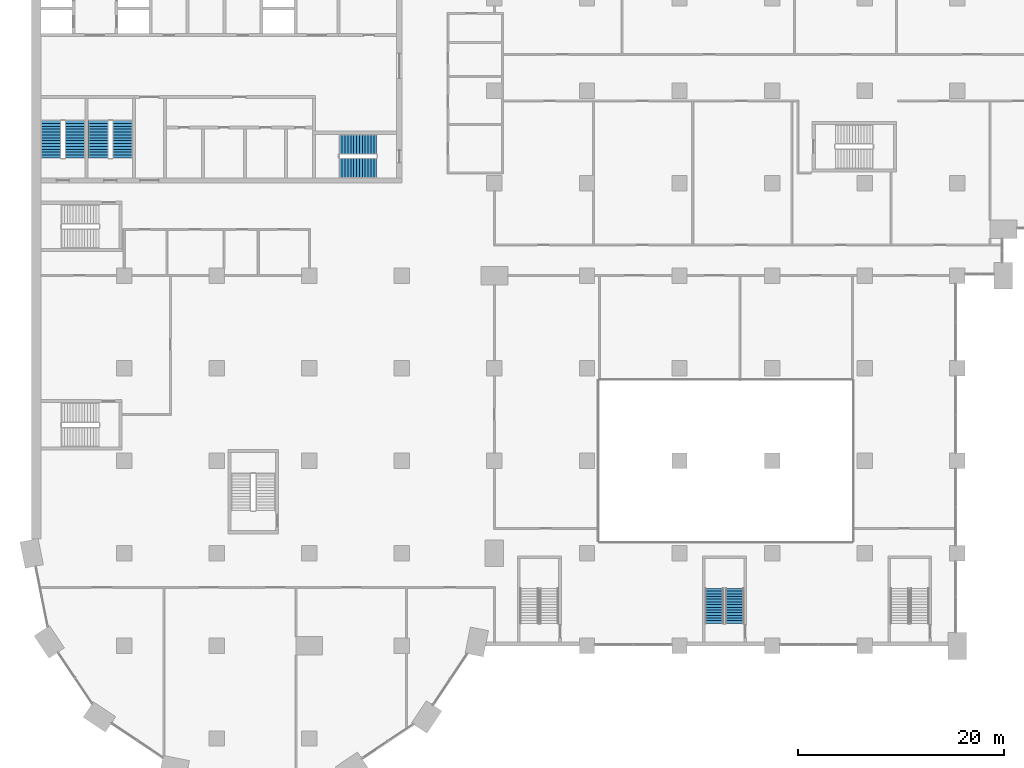
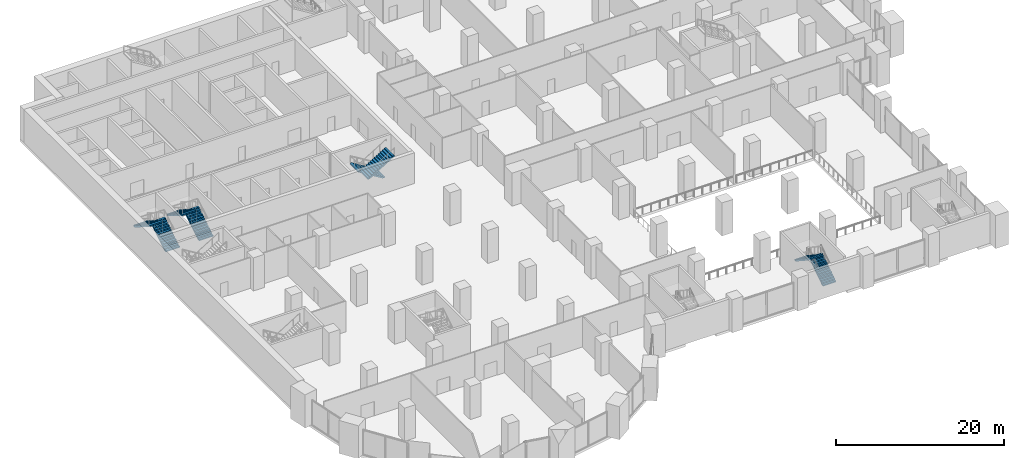
# One storey, part 32 of 49: 8 stair flights, 4 elements without a shape of their own.
"""IFC4 building model written with IfcOpenShell, lengths in metres."""

from ifc_helpers import new_model, si_unit, direction, frame, origin, place, context, subcontext, project, spatial, polyline, outline, extrude, material, type_object, element, aggregate, save


model = new_model("IFC4")

# Units and contexts
model_context = context("Model", 3, precision=1e-05, world=origin(), true_north=direction((0.0, 1.0)))
body_context = subcontext(model_context, "Body", "Model", "MODEL_VIEW")
ifc_project = project(units=[si_unit("LENGTHUNIT", "METRE"), si_unit("AREAUNIT", "SQUARE_METRE"), si_unit("VOLUMEUNIT", "CUBIC_METRE"), si_unit("PLANEANGLEUNIT", "RADIAN"), si_unit("MASSUNIT", "GRAM", prefix="KILO")], contexts=[model_context])

# Site, building, storey
site_placement = place(None, origin())
site = spatial("IfcSite", under=ifc_project, at=site_placement, CompositionType="ELEMENT")
building_placement = place(site_placement, origin())
building = spatial("IfcBuilding", under=site, at=building_placement, Name="Hunhe Ridgeline Campus", CompositionType="ELEMENT")
storey_placement = place(building_placement, frame((0.0, 0.0, 21.60009765625)))
storey = spatial("IfcBuildingStorey", under=building, at=storey_placement, Name="L04", CompositionType="ELEMENT", Elevation=21.60009765625)

# Stair, stair flights
ifc_material = material(Name="Concrete C40", Category="concrete")
stair_type_1 = type_object("IfcStairType", Name="Podium exit stair 1800", PredefinedType="HALF_TURN_STAIR", material=ifc_material)
stair_1_placement = place(storey_placement, origin())
stair_1 = element("IfcStair", 1, at=stair_1_placement, inside=storey, type_object=stair_type_1, Name="L04 podium stair PS2", PredefinedType="HALF_TURN_STAIR")
stair_flight_type_1 = type_object("IfcStairFlightType", Name="Podium stair flight 1800", PredefinedType="STRAIGHT", material=ifc_material)
stair_flight_1_placement = place(storey_placement, frame((68.35009765625, 20.199951171875, 0.0), z_axis=(0.0, 0.0, 1.0), x_axis=(0.0, 1.0, 0.0)))
stair_flight_1 = element("IfcStairFlight", 2, at=stair_flight_1_placement, type_object=stair_flight_type_1, Name="PS2 flight 1", NumberOfRisers=14, NumberOfTreads=13, PredefinedType="STRAIGHT", RiserHeight=0.171428571, TreadLength=0.26, context=body_context, shape_type="SweptSolid", body=[
    extrude(outline(polyline([(0.0, 0.0), (0.0, 0.17138671875), (0.260009765625, 0.17138671875), (0.260009765625, 0.3427734375), (0.52001953125, 0.3427734375), (0.52001953125, 0.514404296875), (0.780029296875, 0.514404296875), (0.780029296875, 0.685791015625), (1.0400390625, 0.685791015625), (1.0400390625, 0.857177734375), (1.300048828125, 0.857177734375), (1.300048828125, 1.028564453125), (1.56005859375, 1.028564453125), (1.56005859375, 1.199951171875), (1.820068359375, 1.199951171875), (1.820068359375, 1.371337890625), (2.080078125, 1.371337890625), (2.080078125, 1.54296875), (2.340087890625, 1.54296875), (2.340087890625, 1.71435546875), (2.60009765625, 1.71435546875), (2.60009765625, 1.8857421875), (2.860107421875, 1.8857421875), (2.860107421875, 2.05712890625), (3.1201171875, 2.05712890625), (3.1201171875, 2.228515625), (3.3798828125, 2.228515625), (3.3798828125, 2.39990234375), (3.3798828125, 2.049072265625), (0.272216796875, 0.0), (0.0, 0.0)])), frame((0.0, 0.89990234375, 0.0), z_axis=(0.0, -1.0, 0.0), x_axis=(1.0, 0.0, 0.0)), (0.0, 0.0, 1.0), 1.800048828125),
])
stair_flight_2_placement = place(storey_placement, frame((66.39990234375, 23.580078125, 2.39990234375), z_axis=(0.0, 0.0, 1.0), x_axis=(0.0, -1.0, 0.0)))
stair_flight_2 = element("IfcStairFlight", 3, at=stair_flight_2_placement, type_object=stair_flight_type_1, Name="PS2 flight 2", NumberOfRisers=14, NumberOfTreads=13, PredefinedType="STRAIGHT", RiserHeight=0.171428571, TreadLength=0.26, context=body_context, shape_type="SweptSolid", body=[
    extrude(outline(polyline([(0.0, 0.0), (0.0, 0.17138671875), (0.260009765625, 0.17138671875), (0.260009765625, 0.3427734375), (0.52001953125, 0.3427734375), (0.52001953125, 0.514404296875), (0.780029296875, 0.514404296875), (0.780029296875, 0.685791015625), (1.0400390625, 0.685791015625), (1.0400390625, 0.857177734375), (1.300048828125, 0.857177734375), (1.300048828125, 1.028564453125), (1.56005859375, 1.028564453125), (1.56005859375, 1.199951171875), (1.820068359375, 1.199951171875), (1.820068359375, 1.371337890625), (2.080078125, 1.371337890625), (2.080078125, 1.54296875), (2.340087890625, 1.54296875), (2.340087890625, 1.71435546875), (2.60009765625, 1.71435546875), (2.60009765625, 1.8857421875), (2.860107421875, 1.8857421875), (2.860107421875, 2.05712890625), (3.1201171875, 2.05712890625), (3.1201171875, 2.228515625), (3.3798828125, 2.228515625), (3.3798828125, 2.39990234375), (3.3798828125, 2.049072265625), (0.272216796875, 0.0), (0.0, 0.0)])), frame((0.0, 0.89990234375, 0.0), z_axis=(0.0, -1.0, 0.0), x_axis=(1.0, 0.0, 0.0)), (0.0, 0.0, 1.0), 1.800048828125),
])
aggregate(stair_1, [stair_flight_1, stair_flight_2])

stair_type_2 = type_object("IfcStairType", Name="Reinforced concrete dog-leg stair 1950 Concrete C40", PredefinedType="HALF_TURN_STAIR", material=ifc_material)
stair_2_placement = place(storey_placement, origin())
stair_2 = element("IfcStair", 4, at=stair_2_placement, inside=storey, type_object=stair_type_2, Name="L04 S2", PredefinedType="HALF_TURN_STAIR")
stair_flight_type_2 = type_object("IfcStairFlightType", Name="Reinforced concrete stair flight 1950 Concrete C40", PredefinedType="STRAIGHT", material=ifc_material)
stair_flight_3_placement = place(storey_placement, frame((33.550048828125, 66.77490234375, 0.0), z_axis=(0.0, 0.0, 1.0), x_axis=(-1.0, 0.0, 0.0)))
stair_flight_3 = element("IfcStairFlight", 5, at=stair_flight_3_placement, type_object=stair_flight_type_2, Name="ST2 flight 1", NumberOfRisers=14, NumberOfTreads=13, PredefinedType="STRAIGHT", RiserHeight=0.171428571, TreadLength=0.28, context=body_context, shape_type="SweptSolid", body=[
    extrude(outline(polyline([(0.0, 0.0), (0.0, 0.17138671875), (0.280029296875, 0.17138671875), (0.280029296875, 0.3427734375), (0.56005859375, 0.3427734375), (0.56005859375, 0.514404296875), (0.840087890625, 0.514404296875), (0.840087890625, 0.685791015625), (1.1201171875, 0.685791015625), (1.1201171875, 0.857177734375), (1.39990234375, 0.857177734375), (1.39990234375, 1.028564453125), (1.679931640625, 1.028564453125), (1.679931640625, 1.199951171875), (1.9599609375, 1.199951171875), (1.9599609375, 1.371337890625), (2.239990234375, 1.371337890625), (2.239990234375, 1.54296875), (2.52001953125, 1.54296875), (2.52001953125, 1.71435546875), (2.800048828125, 1.71435546875), (2.800048828125, 1.8857421875), (3.080078125, 1.8857421875), (3.080078125, 2.05712890625), (3.360107421875, 2.05712890625), (3.360107421875, 2.228515625), (3.639892578125, 2.228515625), (3.639892578125, 2.39990234375), (3.639892578125, 2.052734375), (0.287109375, 0.0), (0.0, 0.0)])), frame((0.0, 0.97509765625, 0.0), z_axis=(0.0, -1.0, 0.0), x_axis=(1.0, 0.0, 0.0)), (0.0, 0.0, 1.0), 1.949951171875),
    extrude(outline(polyline([(0.030029296875, 0.030029296875), (0.030029296875, 0.141357421875), (0.31005859375, 0.141357421875), (0.31005859375, 0.31298828125), (0.590087890625, 0.31298828125), (0.590087890625, 0.484375), (0.8701171875, 0.484375), (0.8701171875, 0.65576171875), (1.14990234375, 0.65576171875), (1.14990234375, 0.8271484375), (1.429931640625, 0.8271484375), (1.429931640625, 0.99853515625), (1.7099609375, 0.99853515625), (1.7099609375, 1.169921875), (1.989990234375, 1.169921875), (1.989990234375, 1.34130859375), (2.27001953125, 1.34130859375), (2.27001953125, 1.512939453125), (2.550048828125, 1.512939453125), (2.550048828125, 1.684326171875), (2.830078125, 1.684326171875), (2.830078125, 1.855712890625), (3.110107421875, 1.855712890625), (3.110107421875, 2.027099609375), (3.389892578125, 2.027099609375), (3.389892578125, 2.198486328125), (3.610107421875, 2.198486328125), (3.610107421875, 2.069580078125), (0.278564453125, 0.030029296875), (0.030029296875, 0.030029296875)])), frame((0.0, -0.070068359375, 0.0), z_axis=(0.0, -1.0, 0.0), x_axis=(1.0, 0.0, 0.0)), (0.0, 0.0, 1.0), 0.019775390625),
    extrude(outline(polyline([(0.030029296875, 0.030029296875), (0.030029296875, 0.141357421875), (0.31005859375, 0.141357421875), (0.31005859375, 0.31298828125), (0.590087890625, 0.31298828125), (0.590087890625, 0.484375), (0.8701171875, 0.484375), (0.8701171875, 0.65576171875), (1.14990234375, 0.65576171875), (1.14990234375, 0.8271484375), (1.429931640625, 0.8271484375), (1.429931640625, 0.99853515625), (1.7099609375, 0.99853515625), (1.7099609375, 1.169921875), (1.989990234375, 1.169921875), (1.989990234375, 1.34130859375), (2.27001953125, 1.34130859375), (2.27001953125, 1.512939453125), (2.550048828125, 1.512939453125), (2.550048828125, 1.684326171875), (2.830078125, 1.684326171875), (2.830078125, 1.855712890625), (3.110107421875, 1.855712890625), (3.110107421875, 2.027099609375), (3.389892578125, 2.027099609375), (3.389892578125, 2.198486328125), (3.610107421875, 2.198486328125), (3.610107421875, 2.069580078125), (0.278564453125, 0.030029296875), (0.030029296875, 0.030029296875)])), frame((0.0, 0.010009765625, 0.0), z_axis=(0.0, -1.0, 0.0), x_axis=(1.0, 0.0, 0.0)), (0.0, 0.0, 1.0), 0.019775390625),
    extrude(outline(polyline([(0.030029296875, 0.030029296875), (0.030029296875, 0.141357421875), (0.31005859375, 0.141357421875), (0.31005859375, 0.31298828125), (0.590087890625, 0.31298828125), (0.590087890625, 0.484375), (0.8701171875, 0.484375), (0.8701171875, 0.65576171875), (1.14990234375, 0.65576171875), (1.14990234375, 0.8271484375), (1.429931640625, 0.8271484375), (1.429931640625, 0.99853515625), (1.7099609375, 0.99853515625), (1.7099609375, 1.169921875), (1.989990234375, 1.169921875), (1.989990234375, 1.34130859375), (2.27001953125, 1.34130859375), (2.27001953125, 1.512939453125), (2.550048828125, 1.512939453125), (2.550048828125, 1.684326171875), (2.830078125, 1.684326171875), (2.830078125, 1.855712890625), (3.110107421875, 1.855712890625), (3.110107421875, 2.027099609375), (3.389892578125, 2.027099609375), (3.389892578125, 2.198486328125), (3.610107421875, 2.198486328125), (3.610107421875, 2.069580078125), (0.278564453125, 0.030029296875), (0.030029296875, 0.030029296875)])), frame((0.0, 0.090087890625, 0.0), z_axis=(0.0, -1.0, 0.0), x_axis=(1.0, 0.0, 0.0)), (0.0, 0.0, 1.0), 0.019775390625),
])
stair_flight_4_placement = place(storey_placement, frame((29.909912109375, 64.47509765625, 2.39990234375), z_axis=(0.0, 0.0, 1.0), x_axis=(1.0, 0.0, 0.0)))
stair_flight_4 = element("IfcStairFlight", 6, at=stair_flight_4_placement, type_object=stair_flight_type_2, Name="ST2 flight 2", NumberOfRisers=14, NumberOfTreads=13, PredefinedType="STRAIGHT", RiserHeight=0.171428571, TreadLength=0.28, context=body_context, shape_type="SweptSolid", body=[
    extrude(outline(polyline([(0.0, 0.0), (0.0, 0.17138671875), (0.280029296875, 0.17138671875), (0.280029296875, 0.3427734375), (0.56005859375, 0.3427734375), (0.56005859375, 0.514404296875), (0.840087890625, 0.514404296875), (0.840087890625, 0.685791015625), (1.1201171875, 0.685791015625), (1.1201171875, 0.857177734375), (1.39990234375, 0.857177734375), (1.39990234375, 1.028564453125), (1.679931640625, 1.028564453125), (1.679931640625, 1.199951171875), (1.9599609375, 1.199951171875), (1.9599609375, 1.371337890625), (2.239990234375, 1.371337890625), (2.239990234375, 1.54296875), (2.52001953125, 1.54296875), (2.52001953125, 1.71435546875), (2.800048828125, 1.71435546875), (2.800048828125, 1.8857421875), (3.080078125, 1.8857421875), (3.080078125, 2.05712890625), (3.360107421875, 2.05712890625), (3.360107421875, 2.228515625), (3.639892578125, 2.228515625), (3.639892578125, 2.39990234375), (3.639892578125, 2.052734375), (0.287109375, 0.0), (0.0, 0.0)])), frame((0.0, 0.97509765625, 0.0), z_axis=(0.0, -1.0, 0.0), x_axis=(1.0, 0.0, 0.0)), (0.0, 0.0, 1.0), 1.949951171875),
    extrude(outline(polyline([(0.030029296875, 0.030029296875), (0.030029296875, 0.141357421875), (0.31005859375, 0.141357421875), (0.31005859375, 0.31298828125), (0.590087890625, 0.31298828125), (0.590087890625, 0.484375), (0.8701171875, 0.484375), (0.8701171875, 0.65576171875), (1.14990234375, 0.65576171875), (1.14990234375, 0.8271484375), (1.429931640625, 0.8271484375), (1.429931640625, 0.99853515625), (1.7099609375, 0.99853515625), (1.7099609375, 1.169921875), (1.989990234375, 1.169921875), (1.989990234375, 1.34130859375), (2.27001953125, 1.34130859375), (2.27001953125, 1.512939453125), (2.550048828125, 1.512939453125), (2.550048828125, 1.684326171875), (2.830078125, 1.684326171875), (2.830078125, 1.855712890625), (3.110107421875, 1.855712890625), (3.110107421875, 2.027099609375), (3.389892578125, 2.027099609375), (3.389892578125, 2.198486328125), (3.610107421875, 2.198486328125), (3.610107421875, 2.069580078125), (0.278564453125, 0.030029296875), (0.030029296875, 0.030029296875)])), frame((0.0, -0.070068359375, 0.0), z_axis=(0.0, -1.0, 0.0), x_axis=(1.0, 0.0, 0.0)), (0.0, 0.0, 1.0), 0.019775390625),
    extrude(outline(polyline([(0.030029296875, 0.030029296875), (0.030029296875, 0.141357421875), (0.31005859375, 0.141357421875), (0.31005859375, 0.31298828125), (0.590087890625, 0.31298828125), (0.590087890625, 0.484375), (0.8701171875, 0.484375), (0.8701171875, 0.65576171875), (1.14990234375, 0.65576171875), (1.14990234375, 0.8271484375), (1.429931640625, 0.8271484375), (1.429931640625, 0.99853515625), (1.7099609375, 0.99853515625), (1.7099609375, 1.169921875), (1.989990234375, 1.169921875), (1.989990234375, 1.34130859375), (2.27001953125, 1.34130859375), (2.27001953125, 1.512939453125), (2.550048828125, 1.512939453125), (2.550048828125, 1.684326171875), (2.830078125, 1.684326171875), (2.830078125, 1.855712890625), (3.110107421875, 1.855712890625), (3.110107421875, 2.027099609375), (3.389892578125, 2.027099609375), (3.389892578125, 2.198486328125), (3.610107421875, 2.198486328125), (3.610107421875, 2.069580078125), (0.278564453125, 0.030029296875), (0.030029296875, 0.030029296875)])), frame((0.0, 0.010009765625, 0.0), z_axis=(0.0, -1.0, 0.0), x_axis=(1.0, 0.0, 0.0)), (0.0, 0.0, 1.0), 0.019775390625),
    extrude(outline(polyline([(0.030029296875, 0.030029296875), (0.030029296875, 0.141357421875), (0.31005859375, 0.141357421875), (0.31005859375, 0.31298828125), (0.590087890625, 0.31298828125), (0.590087890625, 0.484375), (0.8701171875, 0.484375), (0.8701171875, 0.65576171875), (1.14990234375, 0.65576171875), (1.14990234375, 0.8271484375), (1.429931640625, 0.8271484375), (1.429931640625, 0.99853515625), (1.7099609375, 0.99853515625), (1.7099609375, 1.169921875), (1.989990234375, 1.169921875), (1.989990234375, 1.34130859375), (2.27001953125, 1.34130859375), (2.27001953125, 1.512939453125), (2.550048828125, 1.512939453125), (2.550048828125, 1.684326171875), (2.830078125, 1.684326171875), (2.830078125, 1.855712890625), (3.110107421875, 1.855712890625), (3.110107421875, 2.027099609375), (3.389892578125, 2.027099609375), (3.389892578125, 2.198486328125), (3.610107421875, 2.198486328125), (3.610107421875, 2.069580078125), (0.278564453125, 0.030029296875), (0.030029296875, 0.030029296875)])), frame((0.0, 0.090087890625, 0.0), z_axis=(0.0, -1.0, 0.0), x_axis=(1.0, 0.0, 0.0)), (0.0, 0.0, 1.0), 0.019775390625),
])
aggregate(stair_2, [stair_flight_3, stair_flight_4])

stair_3_placement = place(storey_placement, origin())
stair_3 = element("IfcStair", 7, at=stair_3_placement, inside=storey, type_object=stair_type_2, Name="L04 S3", PredefinedType="HALF_TURN_STAIR")
stair_flight_5_placement = place(storey_placement, frame((4.22509765625, 65.449951171875, 0.0), z_axis=(0.0, 0.0, 1.0), x_axis=(0.0, 1.0, 0.0)))
stair_flight_5 = element("IfcStairFlight", 8, at=stair_flight_5_placement, type_object=stair_flight_type_2, Name="ST3 flight 1", NumberOfRisers=14, NumberOfTreads=13, PredefinedType="STRAIGHT", RiserHeight=0.171428571, TreadLength=0.28, context=body_context, shape_type="SweptSolid", body=[
    extrude(outline(polyline([(0.0, 0.0), (0.0, 0.17138671875), (0.280029296875, 0.17138671875), (0.280029296875, 0.3427734375), (0.56005859375, 0.3427734375), (0.56005859375, 0.514404296875), (0.840087890625, 0.514404296875), (0.840087890625, 0.685791015625), (1.1201171875, 0.685791015625), (1.1201171875, 0.857177734375), (1.39990234375, 0.857177734375), (1.39990234375, 1.028564453125), (1.679931640625, 1.028564453125), (1.679931640625, 1.199951171875), (1.9599609375, 1.199951171875), (1.9599609375, 1.371337890625), (2.239990234375, 1.371337890625), (2.239990234375, 1.54296875), (2.52001953125, 1.54296875), (2.52001953125, 1.71435546875), (2.800048828125, 1.71435546875), (2.800048828125, 1.8857421875), (3.080078125, 1.8857421875), (3.080078125, 2.05712890625), (3.360107421875, 2.05712890625), (3.360107421875, 2.228515625), (3.639892578125, 2.228515625), (3.639892578125, 2.39990234375), (3.639892578125, 2.052734375), (0.287109375, 0.0), (0.0, 0.0)])), frame((0.0, 0.97509765625, 0.0), z_axis=(0.0, -1.0, 0.0), x_axis=(1.0, 0.0, 0.0)), (0.0, 0.0, 1.0), 1.949951171875),
    extrude(outline(polyline([(0.030029296875, 0.030029296875), (0.030029296875, 0.141357421875), (0.31005859375, 0.141357421875), (0.31005859375, 0.31298828125), (0.590087890625, 0.31298828125), (0.590087890625, 0.484375), (0.8701171875, 0.484375), (0.8701171875, 0.65576171875), (1.14990234375, 0.65576171875), (1.14990234375, 0.8271484375), (1.429931640625, 0.8271484375), (1.429931640625, 0.99853515625), (1.7099609375, 0.99853515625), (1.7099609375, 1.169921875), (1.989990234375, 1.169921875), (1.989990234375, 1.34130859375), (2.27001953125, 1.34130859375), (2.27001953125, 1.512939453125), (2.550048828125, 1.512939453125), (2.550048828125, 1.684326171875), (2.830078125, 1.684326171875), (2.830078125, 1.855712890625), (3.110107421875, 1.855712890625), (3.110107421875, 2.027099609375), (3.389892578125, 2.027099609375), (3.389892578125, 2.198486328125), (3.610107421875, 2.198486328125), (3.610107421875, 2.069580078125), (0.278564453125, 0.030029296875), (0.030029296875, 0.030029296875)])), frame((0.0, -0.070068359375, 0.0), z_axis=(0.0, -1.0, 0.0), x_axis=(1.0, 0.0, 0.0)), (0.0, 0.0, 1.0), 0.019775390625),
    extrude(outline(polyline([(0.030029296875, 0.030029296875), (0.030029296875, 0.141357421875), (0.31005859375, 0.141357421875), (0.31005859375, 0.31298828125), (0.590087890625, 0.31298828125), (0.590087890625, 0.484375), (0.8701171875, 0.484375), (0.8701171875, 0.65576171875), (1.14990234375, 0.65576171875), (1.14990234375, 0.8271484375), (1.429931640625, 0.8271484375), (1.429931640625, 0.99853515625), (1.7099609375, 0.99853515625), (1.7099609375, 1.169921875), (1.989990234375, 1.169921875), (1.989990234375, 1.34130859375), (2.27001953125, 1.34130859375), (2.27001953125, 1.512939453125), (2.550048828125, 1.512939453125), (2.550048828125, 1.684326171875), (2.830078125, 1.684326171875), (2.830078125, 1.855712890625), (3.110107421875, 1.855712890625), (3.110107421875, 2.027099609375), (3.389892578125, 2.027099609375), (3.389892578125, 2.198486328125), (3.610107421875, 2.198486328125), (3.610107421875, 2.069580078125), (0.278564453125, 0.030029296875), (0.030029296875, 0.030029296875)])), frame((0.0, 0.010009765625, 0.0), z_axis=(0.0, -1.0, 0.0), x_axis=(1.0, 0.0, 0.0)), (0.0, 0.0, 1.0), 0.019775390625),
    extrude(outline(polyline([(0.030029296875, 0.030029296875), (0.030029296875, 0.141357421875), (0.31005859375, 0.141357421875), (0.31005859375, 0.31298828125), (0.590087890625, 0.31298828125), (0.590087890625, 0.484375), (0.8701171875, 0.484375), (0.8701171875, 0.65576171875), (1.14990234375, 0.65576171875), (1.14990234375, 0.8271484375), (1.429931640625, 0.8271484375), (1.429931640625, 0.99853515625), (1.7099609375, 0.99853515625), (1.7099609375, 1.169921875), (1.989990234375, 1.169921875), (1.989990234375, 1.34130859375), (2.27001953125, 1.34130859375), (2.27001953125, 1.512939453125), (2.550048828125, 1.512939453125), (2.550048828125, 1.684326171875), (2.830078125, 1.684326171875), (2.830078125, 1.855712890625), (3.110107421875, 1.855712890625), (3.110107421875, 2.027099609375), (3.389892578125, 2.027099609375), (3.389892578125, 2.198486328125), (3.610107421875, 2.198486328125), (3.610107421875, 2.069580078125), (0.278564453125, 0.030029296875), (0.030029296875, 0.030029296875)])), frame((0.0, 0.090087890625, 0.0), z_axis=(0.0, -1.0, 0.0), x_axis=(1.0, 0.0, 0.0)), (0.0, 0.0, 1.0), 0.019775390625),
])
stair_flight_6_placement = place(storey_placement, frame((1.875, 69.090087890625, 2.39990234375), z_axis=(0.0, 0.0, 1.0), x_axis=(0.0, -1.0, 0.0)))
stair_flight_6 = element("IfcStairFlight", 9, at=stair_flight_6_placement, type_object=stair_flight_type_2, Name="ST3 flight 2", NumberOfRisers=14, NumberOfTreads=13, PredefinedType="STRAIGHT", RiserHeight=0.171428571, TreadLength=0.28, context=body_context, shape_type="SweptSolid", body=[
    extrude(outline(polyline([(0.0, 0.0), (0.0, 0.17138671875), (0.280029296875, 0.17138671875), (0.280029296875, 0.3427734375), (0.56005859375, 0.3427734375), (0.56005859375, 0.514404296875), (0.840087890625, 0.514404296875), (0.840087890625, 0.685791015625), (1.1201171875, 0.685791015625), (1.1201171875, 0.857177734375), (1.39990234375, 0.857177734375), (1.39990234375, 1.028564453125), (1.679931640625, 1.028564453125), (1.679931640625, 1.199951171875), (1.9599609375, 1.199951171875), (1.9599609375, 1.371337890625), (2.239990234375, 1.371337890625), (2.239990234375, 1.54296875), (2.52001953125, 1.54296875), (2.52001953125, 1.71435546875), (2.800048828125, 1.71435546875), (2.800048828125, 1.8857421875), (3.080078125, 1.8857421875), (3.080078125, 2.05712890625), (3.360107421875, 2.05712890625), (3.360107421875, 2.228515625), (3.639892578125, 2.228515625), (3.639892578125, 2.39990234375), (3.639892578125, 2.052734375), (0.287109375, 0.0), (0.0, 0.0)])), frame((0.0, 0.97509765625, 0.0), z_axis=(0.0, -1.0, 0.0), x_axis=(1.0, 0.0, 0.0)), (0.0, 0.0, 1.0), 1.949951171875),
    extrude(outline(polyline([(0.030029296875, 0.030029296875), (0.030029296875, 0.141357421875), (0.31005859375, 0.141357421875), (0.31005859375, 0.31298828125), (0.590087890625, 0.31298828125), (0.590087890625, 0.484375), (0.8701171875, 0.484375), (0.8701171875, 0.65576171875), (1.14990234375, 0.65576171875), (1.14990234375, 0.8271484375), (1.429931640625, 0.8271484375), (1.429931640625, 0.99853515625), (1.7099609375, 0.99853515625), (1.7099609375, 1.169921875), (1.989990234375, 1.169921875), (1.989990234375, 1.34130859375), (2.27001953125, 1.34130859375), (2.27001953125, 1.512939453125), (2.550048828125, 1.512939453125), (2.550048828125, 1.684326171875), (2.830078125, 1.684326171875), (2.830078125, 1.855712890625), (3.110107421875, 1.855712890625), (3.110107421875, 2.027099609375), (3.389892578125, 2.027099609375), (3.389892578125, 2.198486328125), (3.610107421875, 2.198486328125), (3.610107421875, 2.069580078125), (0.278564453125, 0.030029296875), (0.030029296875, 0.030029296875)])), frame((0.0, -0.070068359375, 0.0), z_axis=(0.0, -1.0, 0.0), x_axis=(1.0, 0.0, 0.0)), (0.0, 0.0, 1.0), 0.019775390625),
    extrude(outline(polyline([(0.030029296875, 0.030029296875), (0.030029296875, 0.141357421875), (0.31005859375, 0.141357421875), (0.31005859375, 0.31298828125), (0.590087890625, 0.31298828125), (0.590087890625, 0.484375), (0.8701171875, 0.484375), (0.8701171875, 0.65576171875), (1.14990234375, 0.65576171875), (1.14990234375, 0.8271484375), (1.429931640625, 0.8271484375), (1.429931640625, 0.99853515625), (1.7099609375, 0.99853515625), (1.7099609375, 1.169921875), (1.989990234375, 1.169921875), (1.989990234375, 1.34130859375), (2.27001953125, 1.34130859375), (2.27001953125, 1.512939453125), (2.550048828125, 1.512939453125), (2.550048828125, 1.684326171875), (2.830078125, 1.684326171875), (2.830078125, 1.855712890625), (3.110107421875, 1.855712890625), (3.110107421875, 2.027099609375), (3.389892578125, 2.027099609375), (3.389892578125, 2.198486328125), (3.610107421875, 2.198486328125), (3.610107421875, 2.069580078125), (0.278564453125, 0.030029296875), (0.030029296875, 0.030029296875)])), frame((0.0, 0.010009765625, 0.0), z_axis=(0.0, -1.0, 0.0), x_axis=(1.0, 0.0, 0.0)), (0.0, 0.0, 1.0), 0.019775390625),
    extrude(outline(polyline([(0.030029296875, 0.030029296875), (0.030029296875, 0.141357421875), (0.31005859375, 0.141357421875), (0.31005859375, 0.31298828125), (0.590087890625, 0.31298828125), (0.590087890625, 0.484375), (0.8701171875, 0.484375), (0.8701171875, 0.65576171875), (1.14990234375, 0.65576171875), (1.14990234375, 0.8271484375), (1.429931640625, 0.8271484375), (1.429931640625, 0.99853515625), (1.7099609375, 0.99853515625), (1.7099609375, 1.169921875), (1.989990234375, 1.169921875), (1.989990234375, 1.34130859375), (2.27001953125, 1.34130859375), (2.27001953125, 1.512939453125), (2.550048828125, 1.512939453125), (2.550048828125, 1.684326171875), (2.830078125, 1.684326171875), (2.830078125, 1.855712890625), (3.110107421875, 1.855712890625), (3.110107421875, 2.027099609375), (3.389892578125, 2.027099609375), (3.389892578125, 2.198486328125), (3.610107421875, 2.198486328125), (3.610107421875, 2.069580078125), (0.278564453125, 0.030029296875), (0.030029296875, 0.030029296875)])), frame((0.0, 0.090087890625, 0.0), z_axis=(0.0, -1.0, 0.0), x_axis=(1.0, 0.0, 0.0)), (0.0, 0.0, 1.0), 0.019775390625),
])
aggregate(stair_3, [stair_flight_5, stair_flight_6])

stair_4_placement = place(storey_placement, origin())
stair_4 = element("IfcStair", 10, at=stair_4_placement, inside=storey, type_object=stair_type_2, Name="L04 S4", PredefinedType="HALF_TURN_STAIR")
stair_flight_7_placement = place(storey_placement, frame((8.824951171875, 65.449951171875, 0.0), z_axis=(0.0, 0.0, 1.0), x_axis=(0.0, 1.0, 0.0)))
stair_flight_7 = element("IfcStairFlight", 11, at=stair_flight_7_placement, type_object=stair_flight_type_2, Name="ST4 flight 1", NumberOfRisers=14, NumberOfTreads=13, PredefinedType="STRAIGHT", RiserHeight=0.171428571, TreadLength=0.28, context=body_context, shape_type="SweptSolid", body=[
    extrude(outline(polyline([(0.0, 0.0), (0.0, 0.17138671875), (0.280029296875, 0.17138671875), (0.280029296875, 0.3427734375), (0.56005859375, 0.3427734375), (0.56005859375, 0.514404296875), (0.840087890625, 0.514404296875), (0.840087890625, 0.685791015625), (1.1201171875, 0.685791015625), (1.1201171875, 0.857177734375), (1.39990234375, 0.857177734375), (1.39990234375, 1.028564453125), (1.679931640625, 1.028564453125), (1.679931640625, 1.199951171875), (1.9599609375, 1.199951171875), (1.9599609375, 1.371337890625), (2.239990234375, 1.371337890625), (2.239990234375, 1.54296875), (2.52001953125, 1.54296875), (2.52001953125, 1.71435546875), (2.800048828125, 1.71435546875), (2.800048828125, 1.8857421875), (3.080078125, 1.8857421875), (3.080078125, 2.05712890625), (3.360107421875, 2.05712890625), (3.360107421875, 2.228515625), (3.639892578125, 2.228515625), (3.639892578125, 2.39990234375), (3.639892578125, 2.052734375), (0.287109375, 0.0), (0.0, 0.0)])), frame((0.0, 0.97509765625, 0.0), z_axis=(0.0, -1.0, 0.0), x_axis=(1.0, 0.0, 0.0)), (0.0, 0.0, 1.0), 1.949951171875),
    extrude(outline(polyline([(0.030029296875, 0.030029296875), (0.030029296875, 0.141357421875), (0.31005859375, 0.141357421875), (0.31005859375, 0.31298828125), (0.590087890625, 0.31298828125), (0.590087890625, 0.484375), (0.8701171875, 0.484375), (0.8701171875, 0.65576171875), (1.14990234375, 0.65576171875), (1.14990234375, 0.8271484375), (1.429931640625, 0.8271484375), (1.429931640625, 0.99853515625), (1.7099609375, 0.99853515625), (1.7099609375, 1.169921875), (1.989990234375, 1.169921875), (1.989990234375, 1.34130859375), (2.27001953125, 1.34130859375), (2.27001953125, 1.512939453125), (2.550048828125, 1.512939453125), (2.550048828125, 1.684326171875), (2.830078125, 1.684326171875), (2.830078125, 1.855712890625), (3.110107421875, 1.855712890625), (3.110107421875, 2.027099609375), (3.389892578125, 2.027099609375), (3.389892578125, 2.198486328125), (3.610107421875, 2.198486328125), (3.610107421875, 2.069580078125), (0.278564453125, 0.030029296875), (0.030029296875, 0.030029296875)])), frame((0.0, -0.070068359375, 0.0), z_axis=(0.0, -1.0, 0.0), x_axis=(1.0, 0.0, 0.0)), (0.0, 0.0, 1.0), 0.019775390625),
    extrude(outline(polyline([(0.030029296875, 0.030029296875), (0.030029296875, 0.141357421875), (0.31005859375, 0.141357421875), (0.31005859375, 0.31298828125), (0.590087890625, 0.31298828125), (0.590087890625, 0.484375), (0.8701171875, 0.484375), (0.8701171875, 0.65576171875), (1.14990234375, 0.65576171875), (1.14990234375, 0.8271484375), (1.429931640625, 0.8271484375), (1.429931640625, 0.99853515625), (1.7099609375, 0.99853515625), (1.7099609375, 1.169921875), (1.989990234375, 1.169921875), (1.989990234375, 1.34130859375), (2.27001953125, 1.34130859375), (2.27001953125, 1.512939453125), (2.550048828125, 1.512939453125), (2.550048828125, 1.684326171875), (2.830078125, 1.684326171875), (2.830078125, 1.855712890625), (3.110107421875, 1.855712890625), (3.110107421875, 2.027099609375), (3.389892578125, 2.027099609375), (3.389892578125, 2.198486328125), (3.610107421875, 2.198486328125), (3.610107421875, 2.069580078125), (0.278564453125, 0.030029296875), (0.030029296875, 0.030029296875)])), frame((0.0, 0.010009765625, 0.0), z_axis=(0.0, -1.0, 0.0), x_axis=(1.0, 0.0, 0.0)), (0.0, 0.0, 1.0), 0.019775390625),
    extrude(outline(polyline([(0.030029296875, 0.030029296875), (0.030029296875, 0.141357421875), (0.31005859375, 0.141357421875), (0.31005859375, 0.31298828125), (0.590087890625, 0.31298828125), (0.590087890625, 0.484375), (0.8701171875, 0.484375), (0.8701171875, 0.65576171875), (1.14990234375, 0.65576171875), (1.14990234375, 0.8271484375), (1.429931640625, 0.8271484375), (1.429931640625, 0.99853515625), (1.7099609375, 0.99853515625), (1.7099609375, 1.169921875), (1.989990234375, 1.169921875), (1.989990234375, 1.34130859375), (2.27001953125, 1.34130859375), (2.27001953125, 1.512939453125), (2.550048828125, 1.512939453125), (2.550048828125, 1.684326171875), (2.830078125, 1.684326171875), (2.830078125, 1.855712890625), (3.110107421875, 1.855712890625), (3.110107421875, 2.027099609375), (3.389892578125, 2.027099609375), (3.389892578125, 2.198486328125), (3.610107421875, 2.198486328125), (3.610107421875, 2.069580078125), (0.278564453125, 0.030029296875), (0.030029296875, 0.030029296875)])), frame((0.0, 0.090087890625, 0.0), z_axis=(0.0, -1.0, 0.0), x_axis=(1.0, 0.0, 0.0)), (0.0, 0.0, 1.0), 0.019775390625),
])
stair_flight_8_placement = place(storey_placement, frame((6.47509765625, 69.090087890625, 2.39990234375), z_axis=(0.0, 0.0, 1.0), x_axis=(0.0, -1.0, 0.0)))
stair_flight_8 = element("IfcStairFlight", 12, at=stair_flight_8_placement, type_object=stair_flight_type_2, Name="ST4 flight 2", NumberOfRisers=14, NumberOfTreads=13, PredefinedType="STRAIGHT", RiserHeight=0.171428571, TreadLength=0.28, context=body_context, shape_type="SweptSolid", body=[
    extrude(outline(polyline([(0.0, 0.0), (0.0, 0.17138671875), (0.280029296875, 0.17138671875), (0.280029296875, 0.3427734375), (0.56005859375, 0.3427734375), (0.56005859375, 0.514404296875), (0.840087890625, 0.514404296875), (0.840087890625, 0.685791015625), (1.1201171875, 0.685791015625), (1.1201171875, 0.857177734375), (1.39990234375, 0.857177734375), (1.39990234375, 1.028564453125), (1.679931640625, 1.028564453125), (1.679931640625, 1.199951171875), (1.9599609375, 1.199951171875), (1.9599609375, 1.371337890625), (2.239990234375, 1.371337890625), (2.239990234375, 1.54296875), (2.52001953125, 1.54296875), (2.52001953125, 1.71435546875), (2.800048828125, 1.71435546875), (2.800048828125, 1.8857421875), (3.080078125, 1.8857421875), (3.080078125, 2.05712890625), (3.360107421875, 2.05712890625), (3.360107421875, 2.228515625), (3.639892578125, 2.228515625), (3.639892578125, 2.39990234375), (3.639892578125, 2.052734375), (0.287109375, 0.0), (0.0, 0.0)])), frame((0.0, 0.97509765625, 0.0), z_axis=(0.0, -1.0, 0.0), x_axis=(1.0, 0.0, 0.0)), (0.0, 0.0, 1.0), 1.949951171875),
    extrude(outline(polyline([(0.030029296875, 0.030029296875), (0.030029296875, 0.141357421875), (0.31005859375, 0.141357421875), (0.31005859375, 0.31298828125), (0.590087890625, 0.31298828125), (0.590087890625, 0.484375), (0.8701171875, 0.484375), (0.8701171875, 0.65576171875), (1.14990234375, 0.65576171875), (1.14990234375, 0.8271484375), (1.429931640625, 0.8271484375), (1.429931640625, 0.99853515625), (1.7099609375, 0.99853515625), (1.7099609375, 1.169921875), (1.989990234375, 1.169921875), (1.989990234375, 1.34130859375), (2.27001953125, 1.34130859375), (2.27001953125, 1.512939453125), (2.550048828125, 1.512939453125), (2.550048828125, 1.684326171875), (2.830078125, 1.684326171875), (2.830078125, 1.855712890625), (3.110107421875, 1.855712890625), (3.110107421875, 2.027099609375), (3.389892578125, 2.027099609375), (3.389892578125, 2.198486328125), (3.610107421875, 2.198486328125), (3.610107421875, 2.069580078125), (0.278564453125, 0.030029296875), (0.030029296875, 0.030029296875)])), frame((0.0, -0.070068359375, 0.0), z_axis=(0.0, -1.0, 0.0), x_axis=(1.0, 0.0, 0.0)), (0.0, 0.0, 1.0), 0.019775390625),
    extrude(outline(polyline([(0.030029296875, 0.030029296875), (0.030029296875, 0.141357421875), (0.31005859375, 0.141357421875), (0.31005859375, 0.31298828125), (0.590087890625, 0.31298828125), (0.590087890625, 0.484375), (0.8701171875, 0.484375), (0.8701171875, 0.65576171875), (1.14990234375, 0.65576171875), (1.14990234375, 0.8271484375), (1.429931640625, 0.8271484375), (1.429931640625, 0.99853515625), (1.7099609375, 0.99853515625), (1.7099609375, 1.169921875), (1.989990234375, 1.169921875), (1.989990234375, 1.34130859375), (2.27001953125, 1.34130859375), (2.27001953125, 1.512939453125), (2.550048828125, 1.512939453125), (2.550048828125, 1.684326171875), (2.830078125, 1.684326171875), (2.830078125, 1.855712890625), (3.110107421875, 1.855712890625), (3.110107421875, 2.027099609375), (3.389892578125, 2.027099609375), (3.389892578125, 2.198486328125), (3.610107421875, 2.198486328125), (3.610107421875, 2.069580078125), (0.278564453125, 0.030029296875), (0.030029296875, 0.030029296875)])), frame((0.0, 0.010009765625, 0.0), z_axis=(0.0, -1.0, 0.0), x_axis=(1.0, 0.0, 0.0)), (0.0, 0.0, 1.0), 0.019775390625),
    extrude(outline(polyline([(0.030029296875, 0.030029296875), (0.030029296875, 0.141357421875), (0.31005859375, 0.141357421875), (0.31005859375, 0.31298828125), (0.590087890625, 0.31298828125), (0.590087890625, 0.484375), (0.8701171875, 0.484375), (0.8701171875, 0.65576171875), (1.14990234375, 0.65576171875), (1.14990234375, 0.8271484375), (1.429931640625, 0.8271484375), (1.429931640625, 0.99853515625), (1.7099609375, 0.99853515625), (1.7099609375, 1.169921875), (1.989990234375, 1.169921875), (1.989990234375, 1.34130859375), (2.27001953125, 1.34130859375), (2.27001953125, 1.512939453125), (2.550048828125, 1.512939453125), (2.550048828125, 1.684326171875), (2.830078125, 1.684326171875), (2.830078125, 1.855712890625), (3.110107421875, 1.855712890625), (3.110107421875, 2.027099609375), (3.389892578125, 2.027099609375), (3.389892578125, 2.198486328125), (3.610107421875, 2.198486328125), (3.610107421875, 2.069580078125), (0.278564453125, 0.030029296875), (0.030029296875, 0.030029296875)])), frame((0.0, 0.090087890625, 0.0), z_axis=(0.0, -1.0, 0.0), x_axis=(1.0, 0.0, 0.0)), (0.0, 0.0, 1.0), 0.019775390625),
])
aggregate(stair_4, [stair_flight_7, stair_flight_8])

save(model, "model.ifc")
